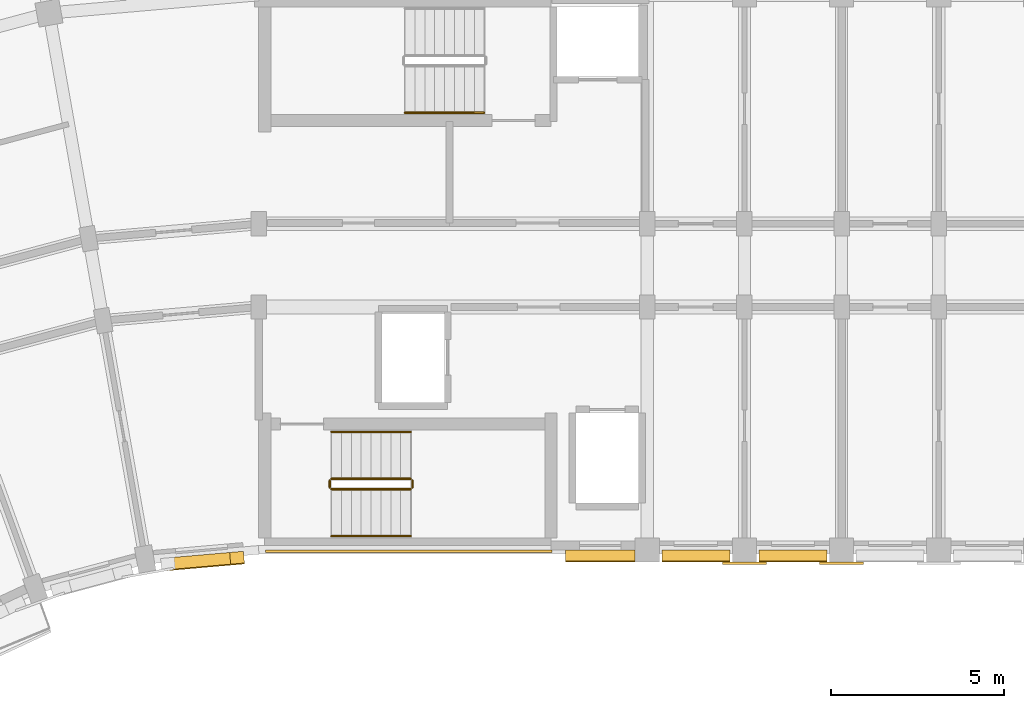
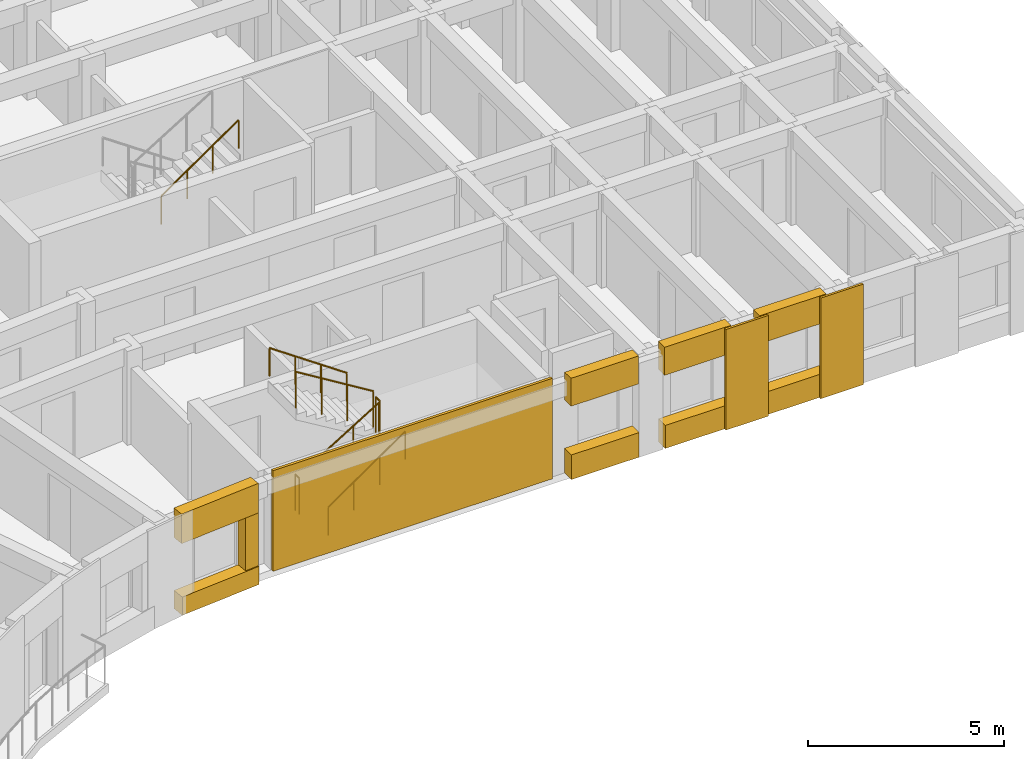
# One storey, part 49 of 57: 12 coverings, 7 railings.
"""IFC4 building model written with IfcOpenShell, lengths in metres."""

from ifc_helpers import new_model, si_unit, direction, frame, origin, origin_2d, place, context, subcontext, project, spatial, polyline, circle, outline, extrude, material, layer, layer_set, type_object, element, save


model = new_model("IFC4")

# Units and contexts
model_context = context("Model", 3, precision=1e-05, world=origin(), true_north=direction((0.0, 1.0)))
body_context = subcontext(model_context, "Body", "Model", "MODEL_VIEW")
ifc_project = project(units=[si_unit("LENGTHUNIT", "METRE"), si_unit("AREAUNIT", "SQUARE_METRE"), si_unit("VOLUMEUNIT", "CUBIC_METRE"), si_unit("PLANEANGLEUNIT", "RADIAN"), si_unit("MASSUNIT", "GRAM", prefix="KILO")], contexts=[model_context])

# Site, building, storey
site_placement = place(None, origin())
site = spatial("IfcSite", under=ifc_project, at=site_placement, CompositionType="ELEMENT")
building_placement = place(site_placement, origin())
building = spatial("IfcBuilding", under=site, at=building_placement, Name="Kiranvali Square Residences", CompositionType="ELEMENT")
storey_placement = place(building_placement, frame((0.0, 0.0, 24.449951171875)))
storey = spatial("IfcBuildingStorey", under=building, at=storey_placement, Name="L07", CompositionType="ELEMENT", Elevation=24.449951171875)

# Coverings
ifc_material_1 = material(Name="Honed Porbandar limestone ashlar facade cladding", Category="masonry")
ifc_layer_1 = layer(ifc_material_1, 0.3798828125)
ifc_layer_set_1 = layer_set([ifc_layer_1], Name="Honed Porbandar limestone ashlar facade cladding")
covering_type_1 = type_object("IfcCoveringType", Name="COV-CLAD-JAMB", PredefinedType="CLADDING", material=ifc_layer_set_1)
covering_1_placement = place(storey_placement, frame((0.0, 0.0, 0.572021484375)))
element("IfcCovering", 1, at=covering_1_placement, inside=storey, type_object=covering_type_1, Name="L07 deep limestone window jamb reveal A-L07-GDN-00.L", PredefinedType="CLADDING", context=body_context, shape_type="SweptSolid", body=[
    extrude(outline(polyline([(47.76171875, 106.56103515625), (47.36474609375, 106.5263671875), (47.394287109375, 106.188232421875), (47.791259765625, 106.222900390625), (47.76171875, 106.56103515625)])), origin(), (0.0, 0.0, 1.0), 1.650146484375),
])
ifc_layer_2 = layer(ifc_material_1, 0.06494140625)
ifc_layer_set_2 = layer_set([ifc_layer_2], Name="Honed Porbandar limestone ashlar facade cladding")
covering_type_2 = type_object("IfcCoveringType", Name="COV-CLAD-PIER", PredefinedType="CLADDING", material=ifc_layer_set_2)
covering_2_placement = place(storey_placement, frame((0.0, 0.0, 0.005126953125)))
element("IfcCovering", 2, at=covering_2_placement, inside=storey, type_object=covering_type_2, Name="Block A L07 garden stair limestone ashlar cladding", PredefinedType="CLADDING", context=body_context, shape_type="SweptSolid", body=[
    extrude(outline(polyline([(48.39990234375, 106.52001953125), (56.64990234375, 106.52001953125), (56.64990234375, 106.597900390625), (48.39990234375, 106.597900390625), (48.39990234375, 106.52001953125)])), origin(), (0.0, 0.0, 1.0), 3.139892578125),
])
ifc_layer_3 = layer(ifc_material_1, 0.050048828125)
ifc_layer_set_3 = layer_set([ifc_layer_3], Name="Honed Porbandar limestone ashlar facade cladding")
covering_type_3 = type_object("IfcCoveringType", Name="COV-CLAD-PIER-IN", PredefinedType="CLADDING", material=ifc_layer_set_3)
covering_3_placement = place(storey_placement, frame((0.0, 0.0, 0.005126953125)))
element("IfcCovering", 3, at=covering_3_placement, inside=storey, type_object=covering_type_3, Name="L07 Classical limestone pilaster casing CLAD-PRA1I-A-L07-U140", PredefinedType="CLADDING", context=body_context, shape_type="SweptSolid", body=[
    extrude(outline(polyline([(61.570068359375, 106.181884765625), (62.830078125, 106.181884765625), (62.830078125, 106.24951171875), (61.570068359375, 106.24951171875), (61.570068359375, 106.181884765625)])), origin(), (0.0, 0.0, 1.0), 3.139892578125),
])
covering_4_placement = place(storey_placement, frame((0.0, 0.0, 0.005126953125)))
element("IfcCovering", 4, at=covering_4_placement, inside=storey, type_object=covering_type_3, Name="L07 Classical limestone pilaster casing CLAD-PRA1I-A-L07-U167", PredefinedType="CLADDING", context=body_context, shape_type="SweptSolid", body=[
    extrude(outline(polyline([(64.3701171875, 106.181884765625), (65.6298828125, 106.181884765625), (65.6298828125, 106.24951171875), (64.3701171875, 106.24951171875), (64.3701171875, 106.181884765625)])), origin(), (0.0, 0.0, 1.0), 3.139892578125),
])
ifc_layer_4 = layer(ifc_material_1, 0.360107421875)
ifc_layer_set_4 = layer_set([ifc_layer_4], Name="Honed Porbandar limestone ashlar facade cladding")
covering_type_4 = type_object("IfcCoveringType", Name="COV-CLAD-WALL", PredefinedType="CLADDING", material=ifc_layer_set_4)
covering_5_placement = place(storey_placement, frame((0.0, 0.0, 2.22216796875)))
element("IfcCovering", 5, at=covering_5_placement, inside=storey, type_object=covering_type_4, Name="L07 light limestone spandrel lintel A-L07-GDN-00", PredefinedType="CLADDING", context=body_context, shape_type="SweptSolid", body=[
    extrude(outline(polyline([(47.76171875, 106.56103515625), (45.373779296875, 106.352294921875), (45.4033203125, 106.013916015625), (47.791259765625, 106.222900390625), (47.76171875, 106.56103515625)])), origin(), (0.0, 0.0, 1.0), 0.9228515625),
])
covering_6_placement = place(storey_placement, frame((0.0, 0.0, 2.27197265625)))
element("IfcCovering", 6, at=covering_6_placement, inside=storey, type_object=covering_type_4, Name="L07 light limestone spandrel lintel A-L07-A1IN-0", PredefinedType="CLADDING", context=body_context, shape_type="SweptSolid", body=[
    extrude(outline(polyline([(57.050048828125, 106.280029296875), (59.050048828125, 106.280029296875), (59.050048828125, 106.599609375), (57.050048828125, 106.599609375), (57.050048828125, 106.280029296875)])), origin(), (0.0, 0.0, 1.0), 0.873046875),
])
covering_7_placement = place(storey_placement, frame((0.0, 0.0, 0.005126953125)))
element("IfcCovering", 7, at=covering_7_placement, inside=storey, type_object=covering_type_4, Name="L07 limestone window sill apron A-L07-A1IN-0", PredefinedType="CLADDING", context=body_context, shape_type="SweptSolid", body=[
    extrude(outline(polyline([(57.050048828125, 106.25), (59.050048828125, 106.25), (59.050048828125, 106.599609375), (57.050048828125, 106.599609375), (57.050048828125, 106.25)])), origin(), (0.0, 0.0, 1.0), 0.766845703125),
])
covering_8_placement = place(storey_placement, frame((0.0, 0.0, 2.27197265625)))
element("IfcCovering", 8, at=covering_8_placement, inside=storey, type_object=covering_type_4, Name="L07 light limestone spandrel lintel A-L07-A1I-0", PredefinedType="CLADDING", context=body_context, shape_type="SweptSolid", body=[
    extrude(outline(polyline([(59.820068359375, 106.280029296875), (61.780029296875, 106.280029296875), (61.780029296875, 106.599609375), (59.820068359375, 106.599609375), (59.820068359375, 106.280029296875)])), origin(), (0.0, 0.0, 1.0), 0.873046875),
])
covering_9_placement = place(storey_placement, frame((0.0, 0.0, 0.005126953125)))
element("IfcCovering", 9, at=covering_9_placement, inside=storey, type_object=covering_type_4, Name="L07 limestone window sill apron A-L07-A1I-0", PredefinedType="CLADDING", context=body_context, shape_type="SweptSolid", body=[
    extrude(outline(polyline([(59.820068359375, 106.25), (61.780029296875, 106.25), (61.780029296875, 106.599609375), (59.820068359375, 106.599609375), (59.820068359375, 106.25)])), origin(), (0.0, 0.0, 1.0), 0.717041015625),
])
covering_10_placement = place(storey_placement, frame((0.0, 0.0, 2.27197265625)))
element("IfcCovering", 10, at=covering_10_placement, inside=storey, type_object=covering_type_4, Name="L07 light limestone spandrel lintel A-L07-A1I-1", PredefinedType="CLADDING", context=body_context, shape_type="SweptSolid", body=[
    extrude(outline(polyline([(62.6201171875, 106.280029296875), (64.580078125, 106.280029296875), (64.580078125, 106.599609375), (62.6201171875, 106.599609375), (62.6201171875, 106.280029296875)])), origin(), (0.0, 0.0, 1.0), 0.873046875),
])
covering_11_placement = place(storey_placement, frame((0.0, 0.0, 0.005126953125)))
element("IfcCovering", 11, at=covering_11_placement, inside=storey, type_object=covering_type_4, Name="L07 limestone window sill apron A-L07-A1I-1", PredefinedType="CLADDING", context=body_context, shape_type="SweptSolid", body=[
    extrude(outline(polyline([(62.6201171875, 106.25), (64.580078125, 106.25), (64.580078125, 106.599609375), (62.6201171875, 106.599609375), (62.6201171875, 106.25)])), origin(), (0.0, 0.0, 1.0), 0.717041015625),
])
ifc_layer_5 = layer(ifc_material_1, 0.2900390625)
ifc_layer_set_5 = layer_set([ifc_layer_5], Name="Honed Porbandar limestone ashlar facade cladding")
covering_type_5 = type_object("IfcCoveringType", Name="COV-CLAD-WALL-IN", PredefinedType="CLADDING", material=ifc_layer_set_5)
covering_12_placement = place(storey_placement, frame((0.0, 0.0, 0.005126953125)))
element("IfcCovering", 12, at=covering_12_placement, inside=storey, type_object=covering_type_5, Name="L07 limestone window sill apron A-L07-GDN-00", PredefinedType="CLADDING", context=body_context, shape_type="SweptSolid", body=[
    extrude(outline(polyline([(47.76171875, 106.56103515625), (45.373779296875, 106.352294921875), (45.406005859375, 105.984130859375), (47.7939453125, 106.193115234375), (47.76171875, 106.56103515625)])), origin(), (0.0, 0.0, 1.0), 0.56689453125),
])

# Railings
ifc_material_2 = material(Name="Brushed stainless steel tubular handrail", Category="steel")
railing_type_1 = type_object("IfcRailingType", Name="RL-HANDRAIL-900", PredefinedType="HANDRAIL", material=ifc_material_2)
for number, where, name in (
    (13, (52.419921875, 119.199951171875, 1.75), "L07 ST-A1 stair handrail 2"),
    (14, (50.300048828125, 107.0, 0.175048828125), "L07 ST-A2 stair handrail 1"),
):
    element("IfcRailing", number, at=place(storey_placement, frame(where)), inside=storey, type_object=railing_type_1, Name=name, PredefinedType="HANDRAIL", context=body_context, shape_type="SweptSolid", body=[
        extrude(circle(Radius=0.02392578125, at=origin_2d()), frame((0.0, 0.0, 0.8759765625), z_axis=(0.82278801735, 0.0, 0.568348377763), x_axis=(0.0, 1.0, 0.0)), (0.0, 0.0, 1.0), 2.77099609375),
        extrude(circle(Radius=0.02099609375, at=origin_2d()), origin(), (0.0, 0.0, 1.0), 0.851806640625),
        extrude(circle(Radius=0.02099609375, at=origin_2d()), frame((0.760009765625, 0.0, 0.52490234375)), (0.0, 0.0, 1.0), 0.851806640625),
        extrude(circle(Radius=0.02099609375, at=origin_2d()), frame((1.52001953125, 0.0, 1.050048828125)), (0.0, 0.0, 1.0), 0.851806640625),
        extrude(circle(Radius=0.02099609375, at=origin_2d()), frame((2.280029296875, 0.0, 1.574951171875)), (0.0, 0.0, 1.0), 0.851806640625),
    ])
railing_1_placement = place(storey_placement, frame((52.580078125, 110.0, 1.75)))
element("IfcRailing", 15, at=railing_1_placement, inside=storey, type_object=railing_type_1, Name="L07 ST-A2 stair handrail 2", PredefinedType="HANDRAIL", context=body_context, shape_type="SweptSolid", body=[
    extrude(circle(Radius=0.02392578125, at=origin_2d()), frame((0.0, 0.0, 0.8759765625), z_axis=(-0.82278801735, 0.0, 0.568348377763), x_axis=(0.0, -1.0, 0.0)), (0.0, 0.0, 1.0), 2.77099609375),
    extrude(circle(Radius=0.02099609375, at=origin_2d()), origin(), (0.0, 0.0, 1.0), 0.851806640625),
    extrude(circle(Radius=0.02099609375, at=origin_2d()), frame((-0.760009765625, 0.0, 0.52490234375)), (0.0, 0.0, 1.0), 0.851806640625),
    extrude(circle(Radius=0.02099609375, at=origin_2d()), frame((-1.52001953125, 0.0, 1.050048828125)), (0.0, 0.0, 1.0), 0.851806640625),
    extrude(circle(Radius=0.02099609375, at=origin_2d()), frame((-2.280029296875, 0.0, 1.574951171875)), (0.0, 0.0, 1.0), 0.851806640625),
])
ifc_material_3 = material(Name="Powder-coated architectural bronze balustrade", Category="steel")
railing_type_2 = type_object("IfcRailingType", Name="RL-ST-GUARD-1200", PredefinedType="GUARDRAIL", material=ifc_material_3)
railing_2_placement = place(storey_placement, frame((50.300048828125, 108.35009765625, 0.175048828125)))
element("IfcRailing", 16, at=railing_2_placement, inside=storey, type_object=railing_type_2, Name="L07 ST-A2 stair guard 1", PredefinedType="GUARDRAIL", context=body_context, shape_type="SweptSolid", body=[
    extrude(circle(Radius=0.02392578125, at=origin_2d()), frame((0.0, 0.0, 1.1259765625), z_axis=(0.852190499154, 0.0, 0.523231643875), x_axis=(0.0, 1.0, 0.0)), (0.0, 0.0, 1.0), 2.675537109375),
    extrude(circle(Radius=0.02099609375, at=origin_2d()), origin(), (0.0, 0.0, 1.0), 1.101806640625),
    extrude(circle(Radius=0.02099609375, at=origin_2d()), frame((0.760009765625, 0.0, 0.466552734375)), (0.0, 0.0, 1.0), 1.101806640625),
    extrude(circle(Radius=0.02099609375, at=origin_2d()), frame((1.52001953125, 0.0, 0.933349609375)), (0.0, 0.0, 1.0), 1.101806640625),
    extrude(circle(Radius=0.02099609375, at=origin_2d()), frame((2.280029296875, 0.0, 1.39990234375)), (0.0, 0.0, 1.0), 1.101806640625),
])
railing_3_placement = place(storey_placement, frame((52.6298828125, 108.39990234375, 1.574951171875)))
element("IfcRailing", 17, at=railing_3_placement, inside=storey, type_object=railing_type_2, Name="L07 ST-A2 stair guard 2", PredefinedType="GUARDRAIL", context=body_context, shape_type="SweptSolid", body=[
    extrude(circle(Radius=0.02392578125, at=origin_2d()), frame((0.0, 0.0, 1.1259765625), z_axis=(0.0, 1.0, 0.0), x_axis=(-1.0, 0.0, 0.0)), (0.0, 0.0, 1.0), 0.2001953125),
    extrude(circle(Radius=0.02099609375, at=origin_2d()), origin(), (0.0, 0.0, 1.0), 1.101806640625),
    extrude(circle(Radius=0.02099609375, at=origin_2d()), frame((0.0, 0.2001953125, 0.0)), (0.0, 0.0, 1.0), 1.101806640625),
])
railing_4_placement = place(storey_placement, frame((52.580078125, 108.64990234375, 1.75)))
element("IfcRailing", 18, at=railing_4_placement, inside=storey, type_object=railing_type_2, Name="L07 ST-A2 stair guard 3", PredefinedType="GUARDRAIL", context=body_context, shape_type="SweptSolid", body=[
    extrude(circle(Radius=0.02392578125, at=origin_2d()), frame((0.0, 0.0, 1.1259765625), z_axis=(-0.852149810458, 0.0, 0.523297908018), x_axis=(0.0, -1.0, 0.0)), (0.0, 0.0, 1.0), 2.675537109375),
    extrude(circle(Radius=0.02099609375, at=origin_2d()), origin(), (0.0, 0.0, 1.0), 1.101806640625),
    extrude(circle(Radius=0.02099609375, at=origin_2d()), frame((-0.760009765625, 0.0, 0.466796875)), (0.0, 0.0, 1.0), 1.101806640625),
    extrude(circle(Radius=0.02099609375, at=origin_2d()), frame((-1.52001953125, 0.0, 0.933349609375)), (0.0, 0.0, 1.0), 1.101806640625),
    extrude(circle(Radius=0.02099609375, at=origin_2d()), frame((-2.280029296875, 0.0, 1.400146484375)), (0.0, 0.0, 1.0), 1.101806640625),
])
railing_5_placement = place(storey_placement, frame((50.25, 108.39990234375, 0.0)))
element("IfcRailing", 19, at=railing_5_placement, inside=storey, type_object=railing_type_2, Name="L07 ST-A2 stair guard 4", PredefinedType="GUARDRAIL", context=body_context, shape_type="SweptSolid", body=[
    extrude(circle(Radius=0.02392578125, at=origin_2d()), frame((0.0, 0.0, 1.1259765625), z_axis=(0.0, 1.0, 0.0), x_axis=(-1.0, 0.0, 0.0)), (0.0, 0.0, 1.0), 0.2001953125),
    extrude(circle(Radius=0.02099609375, at=origin_2d()), origin(), (0.0, 0.0, 1.0), 1.101806640625),
    extrude(circle(Radius=0.02099609375, at=origin_2d()), frame((0.0, 0.2001953125, 0.0)), (0.0, 0.0, 1.0), 1.101806640625),
])

save(model, "model.ifc")
